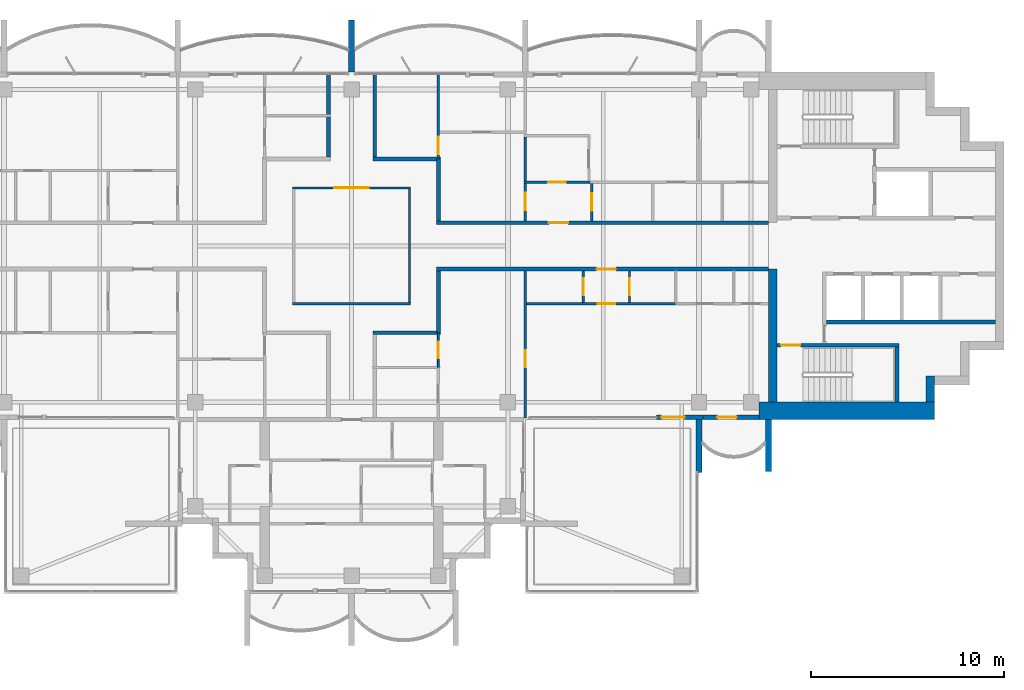
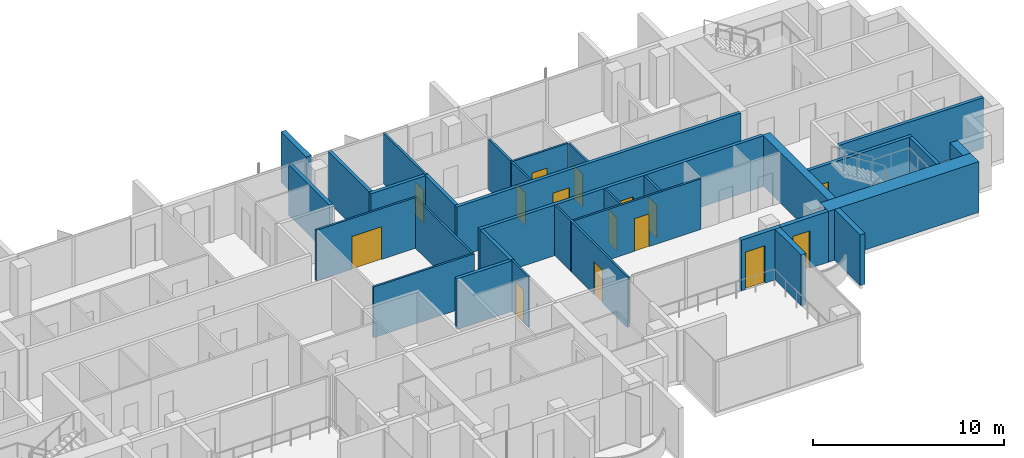
# One storey, part 10 of 16: 31 walls, 15 doors, 15 openings.
"""IFC4 building model written with IfcOpenShell, lengths in metres."""

from ifc_helpers import new_model, si_unit, direction, frame, frame_2d, origin, place, context, subcontext, project, spatial, rectangle, extrude, material, layer, layer_set, type_object, element, fill, save


model = new_model("IFC4")

# Units and contexts
model_context = context("Model", 3, precision=1e-05, world=origin(), true_north=direction((0.0, 1.0)))
body_context = subcontext(model_context, "Body", "Model", "MODEL_VIEW")
ifc_project = project(units=[si_unit("LENGTHUNIT", "METRE"), si_unit("AREAUNIT", "SQUARE_METRE"), si_unit("VOLUMEUNIT", "CUBIC_METRE"), si_unit("PLANEANGLEUNIT", "RADIAN"), si_unit("MASSUNIT", "GRAM", prefix="KILO")], contexts=[model_context])

# Site, building, storey
site_placement = place(None, origin())
site = spatial("IfcSite", under=ifc_project, at=site_placement, CompositionType="ELEMENT")
building_placement = place(site_placement, origin())
building = spatial("IfcBuilding", under=site, at=building_placement, Name="Perihelion Cross Residences", CompositionType="ELEMENT")
storey_placement = place(building_placement, frame((0.0, 0.0, 274.5)))
storey = spatial("IfcBuildingStorey", under=building, at=storey_placement, Name="L70", CompositionType="ELEMENT", Elevation=274.5)

# Wall, opening, door
ifc_material_1 = material(Name="Plasterboard partition")
ifc_layer_1 = layer(ifc_material_1, 0.199951171875)
ifc_layer_set_1 = layer_set([ifc_layer_1], Name="Apartment separation wall 200")
wall_type_1 = type_object("IfcWallType", Name="Apartment separation wall 200", PredefinedType="PARTITIONING", material=ifc_layer_set_1)
wall_1_placement = place(storey_placement, frame((4.39990234375, 1.199951171875, 0.0), z_axis=(0.0, 0.0, 1.0), x_axis=(1.0, 0.0, 0.0)))
wall_1 = element("IfcWall", 1, at=wall_1_placement, inside=storey, type_object=wall_type_1, Name="Partition L70 W005", PredefinedType="PARTITIONING", context=body_context, shape_type="SweptSolid", body=[
    extrude(rectangle(XDim=17.2001953125, YDim=0.199951171875, at=frame_2d((8.60009765625, 0.0))), origin(), (0.0, 0.0, 1.0), 3.25),
])
opening_1_placement = place(wall_1_placement, frame((5.824951171875, 0.0, 0.0)))
opening_1 = element("IfcOpeningElement", 2, at=opening_1_placement, cuts=wall_1, Name="Opening L70.A42", PredefinedType="OPENING", context=body_context, shape_type="SweptSolid", body=[
    extrude(rectangle(XDim=1.0, YDim=2.10009765625, at=frame_2d((0.5, 1.050048828125))), frame((0.0, 0.10986328125, 0.0), z_axis=(0.0, -1.0, 0.0), x_axis=(1.0, 0.0, 0.0)), (0.0, 0.0, 1.0), 0.219970703125),
])
ifc_material_2 = material(Name="Timber door leaf", Category="wood")
door_type_1 = type_object("IfcDoorType", Name="Flat entrance door 1000 x 2100", OperationType="SINGLE_SWING_LEFT", PredefinedType="DOOR", material=ifc_material_2)
door_1_placement = place(opening_1_placement, origin())
door_1 = element("IfcDoor", 3, at=door_1_placement, inside=storey, type_object=door_type_1, Name="Door L70.A42", OperationType="SINGLE_SWING_LEFT", OverallHeight=2.10009765625, OverallWidth=1.0, PredefinedType="DOOR", context=body_context, shape_type="SweptSolid", body=[
    extrude(rectangle(XDim=1.0, YDim=2.10009765625, at=frame_2d((0.5, 1.050048828125))), frame((0.0, 0.02490234375, 0.0), z_axis=(0.0, -1.0, 0.0), x_axis=(1.0, 0.0, 0.0)), (0.0, 0.0, 1.0), 0.050048828125),
])
fill(opening_1, door_1)

# Walls
wall_2_placement = place(storey_placement, frame((4.5, 4.5, 0.0), z_axis=(0.0, 0.0, 1.0), x_axis=(0.0, -1.0, 0.0)))
element("IfcWall", 4, at=wall_2_placement, inside=storey, type_object=wall_type_1, Name="Partition L70 W006", PredefinedType="PARTITIONING", context=body_context, shape_type="SweptSolid", body=[
    extrude(rectangle(XDim=3.199951171875, YDim=0.199951171875, at=frame_2d((1.60009765625, 0.0))), origin(), (0.0, 0.0, 1.0), 3.25),
])
wall_3_placement = place(storey_placement, frame((1.199951171875, 8.919921875, 0.0), z_axis=(0.0, 0.0, 1.0), x_axis=(0.0, -1.0, 0.0)))
element("IfcWall", 5, at=wall_3_placement, inside=storey, type_object=wall_type_1, Name="Partition L70 W007", PredefinedType="PARTITIONING", context=body_context, shape_type="SweptSolid", body=[
    extrude(rectangle(XDim=4.31982421875, YDim=0.199951171875, at=frame_2d((2.159912109375, 0.0))), origin(), (0.0, 0.0, 1.0), 3.25),
])
wall_4_placement = place(storey_placement, frame((1.10009765625, 4.5, 0.0), z_axis=(0.0, 0.0, 1.0), x_axis=(1.0, 0.0, 0.0)))
element("IfcWall", 6, at=wall_4_placement, inside=storey, type_object=wall_type_1, Name="Partition L70 W008", PredefinedType="PARTITIONING", context=body_context, shape_type="SweptSolid", body=[
    extrude(rectangle(XDim=3.5, YDim=0.199951171875, at=frame_2d((1.75, 0.0))), origin(), (0.0, 0.0, 1.0), 3.25),
])

# Wall, opening, door
wall_5_placement = place(storey_placement, frame((21.60009765625, -1.199951171875, 0.0), z_axis=(0.0, 0.0, 1.0), x_axis=(-1.0, 0.0, 0.0)))
wall_5 = element("IfcWall", 7, at=wall_5_placement, inside=storey, type_object=wall_type_1, Name="Partition L70 W009", PredefinedType="PARTITIONING", context=body_context, shape_type="SweptSolid", body=[
    extrude(rectangle(XDim=17.2001953125, YDim=0.199951171875, at=frame_2d((8.60009765625, 0.0))), origin(), (0.0, 0.0, 1.0), 3.25),
])
opening_2_placement = place(wall_5_placement, frame((7.89990234375, 0.0, 0.0)))
opening_2 = element("IfcOpeningElement", 8, at=opening_2_placement, cuts=wall_5, Name="Opening L70.A43", PredefinedType="OPENING", context=body_context, shape_type="SweptSolid", body=[
    extrude(rectangle(XDim=1.0, YDim=2.10009765625, at=frame_2d((0.5, 1.050048828125))), frame((0.0, 0.10986328125, 0.0), z_axis=(0.0, -1.0, 0.0), x_axis=(1.0, 0.0, 0.0)), (0.0, 0.0, 1.0), 0.219970703125),
])
door_2_placement = place(opening_2_placement, origin())
door_2 = element("IfcDoor", 9, at=door_2_placement, inside=storey, type_object=door_type_1, Name="Door L70.A43", OperationType="SINGLE_SWING_LEFT", OverallHeight=2.10009765625, OverallWidth=1.0, PredefinedType="DOOR", context=body_context, shape_type="SweptSolid", body=[
    extrude(rectangle(XDim=1.0, YDim=2.10009765625, at=frame_2d((0.5, 1.050048828125))), frame((0.0, 0.02490234375, 0.0), z_axis=(0.0, -1.0, 0.0), x_axis=(1.0, 0.0, 0.0)), (0.0, 0.0, 1.0), 0.050048828125),
])
fill(opening_2, door_2)

# Walls
wall_6_placement = place(storey_placement, frame((4.5, -1.300048828125, 0.0), z_axis=(0.0, 0.0, 1.0), x_axis=(0.0, -1.0, 0.0)))
element("IfcWall", 10, at=wall_6_placement, inside=storey, type_object=wall_type_1, Name="Partition L70 W010", PredefinedType="PARTITIONING", context=body_context, shape_type="SweptSolid", body=[
    extrude(rectangle(XDim=3.199951171875, YDim=0.199951171875, at=frame_2d((1.60009765625, 0.0))), origin(), (0.0, 0.0, 1.0), 3.25),
])
wall_7_placement = place(storey_placement, frame((4.60009765625, -4.5, 0.0), z_axis=(0.0, 0.0, 1.0), x_axis=(-1.0, 0.0, 0.0)))
element("IfcWall", 11, at=wall_7_placement, inside=storey, type_object=wall_type_1, Name="Partition L70 W011", PredefinedType="PARTITIONING", context=body_context, shape_type="SweptSolid", body=[
    extrude(rectangle(XDim=3.5, YDim=0.199951171875, at=frame_2d((1.75, 0.0))), origin(), (0.0, 0.0, 1.0), 3.25),
])
wall_8_placement = place(storey_placement, frame((-1.199951171875, 4.60009765625, 0.0), z_axis=(0.0, 0.0, 1.0), x_axis=(0.0, 1.0, 0.0)))
element("IfcWall", 12, at=wall_8_placement, inside=storey, type_object=wall_type_1, Name="Partition L70 W016", PredefinedType="PARTITIONING", context=body_context, shape_type="SweptSolid", body=[
    extrude(rectangle(XDim=4.31982421875, YDim=0.199951171875, at=frame_2d((2.159912109375, 0.0))), origin(), (0.0, 0.0, 1.0), 3.25),
])

# Wall, opening, door
ifc_material_3 = material(Name="Concrete C30/37, bronze-clad", Category="concrete")
ifc_layer_2 = layer(ifc_material_3, 0.25)
ifc_layer_set_2 = layer_set([ifc_layer_2], Name="Bronze-clad pier wall 250")
wall_type_2 = type_object("IfcWallType", Name="Bronze-clad pier wall 250", PredefinedType="SOLIDWALL", material=ifc_layer_set_2)
wall_9_placement = place(storey_placement, frame((15.800048828125, -8.875, 0.0), z_axis=(0.0, 0.0, 1.0), x_axis=(1.0, 0.0, 0.0)))
wall_9 = element("IfcWall", 13, at=wall_9_placement, inside=storey, type_object=wall_type_2, Name="Wall FW1 L70 east side south bay 1 pier", PredefinedType="SOLIDWALL", context=body_context, shape_type="SweptSolid", body=[
    extrude(rectangle(XDim=2.39990234375, YDim=0.25, at=frame_2d((1.199951171875, 0.0))), origin(), (0.0, 0.0, 1.0), 3.25),
])
opening_3_placement = place(wall_9_placement, frame((0.25, 0.0, 0.0)))
opening_3 = element("IfcOpeningElement", 14, at=opening_3_placement, cuts=wall_9, Name="Opening L70.E13", PredefinedType="OPENING", context=body_context, shape_type="SweptSolid", body=[
    extrude(rectangle(XDim=1.199951171875, YDim=2.39990234375, at=frame_2d((0.60009765625, 1.199951171875))), frame((0.0, 0.135009765625, 0.0), z_axis=(0.0, -1.0, 0.0), x_axis=(1.0, 0.0, 0.0)), (0.0, 0.0, 1.0), 0.27001953125),
])
ifc_material_4 = material(Name="Bronze anodised aluminium, glazed", Category="aluminium")
door_type_2 = type_object("IfcDoorType", Name="Balcony door 1200 x 2400", OperationType="NOTDEFINED", PredefinedType="DOOR", material=ifc_material_4)
door_3_placement = place(opening_3_placement, origin())
door_3 = element("IfcDoor", 15, at=door_3_placement, inside=storey, type_object=door_type_2, Name="Door L70.E13 east side south bay 1", OperationType="SINGLE_SWING_LEFT", OverallHeight=2.39990234375, OverallWidth=1.199951171875, PredefinedType="DOOR", context=body_context, shape_type="SweptSolid", body=[
    extrude(rectangle(XDim=1.199951171875, YDim=2.39990234375, at=frame_2d((0.60009765625, 1.199951171875))), frame((0.0, 0.02490234375, 0.0), z_axis=(0.0, -1.0, 0.0), x_axis=(1.0, 0.0, 0.0)), (0.0, 0.0, 1.0), 0.050048828125),
])
fill(opening_3, door_3)

wall_10_placement = place(storey_placement, frame((18.199951171875, -8.875, 0.0), z_axis=(0.0, 0.0, 1.0), x_axis=(1.0, 0.0, 0.0)))
wall_10 = element("IfcWall", 16, at=wall_10_placement, inside=storey, type_object=wall_type_2, Name="Wall FW1 L70 east side south bay 2 pier", PredefinedType="SOLIDWALL", context=body_context, shape_type="SweptSolid", body=[
    extrude(rectangle(XDim=2.900146484375, YDim=0.25, at=frame_2d((1.4501953125, 0.0))), origin(), (0.0, 0.0, 1.0), 3.25),
])
opening_4_placement = place(wall_10_placement, frame((0.75, 0.0, 0.0)))
opening_4 = element("IfcOpeningElement", 17, at=opening_4_placement, cuts=wall_10, Name="Opening L70.E14", PredefinedType="OPENING", context=body_context, shape_type="SweptSolid", body=[
    extrude(rectangle(XDim=1.0, YDim=2.39990234375, at=frame_2d((0.5, 1.199951171875))), frame((0.0, 0.135009765625, 0.0), z_axis=(0.0, -1.0, 0.0), x_axis=(1.0, 0.0, 0.0)), (0.0, 0.0, 1.0), 0.27001953125),
])
ifc_material_5 = material(Name="Bronze anodised aluminium, glazed", Category="aluminium")
door_type_3 = type_object("IfcDoorType", Name="Balcony door 1000 x 2400", OperationType="NOTDEFINED", PredefinedType="DOOR", material=ifc_material_5)
door_4_placement = place(opening_4_placement, origin())
door_4 = element("IfcDoor", 18, at=door_4_placement, inside=storey, type_object=door_type_3, Name="Door L70.E14 east side south bay 2", OperationType="SINGLE_SWING_RIGHT", OverallHeight=2.39990234375, OverallWidth=1.0, PredefinedType="DOOR", context=body_context, shape_type="SweptSolid", body=[
    extrude(rectangle(XDim=1.0, YDim=2.39990234375, at=frame_2d((0.5, 1.199951171875))), frame((0.0, 0.02490234375, 0.0), z_axis=(0.0, -1.0, 0.0), x_axis=(1.0, 0.0, 0.0)), (0.0, 0.0, 1.0), 0.050048828125),
])
fill(opening_4, door_4)

# Walls
ifc_material_6 = material(Name="Concrete C60/75", Category="concrete")
ifc_layer_3 = layer(ifc_material_6, 0.449951171875)
ifc_layer_set_3 = layer_set([ifc_layer_3], Name="Core wall, inner 450")
wall_type_3 = type_object("IfcWallType", Name="Core wall, inner 450", PredefinedType="SHEAR", material=ifc_layer_set_3)
wall_11_placement = place(storey_placement, frame((21.824951171875, -8.10009765625, 0.0), z_axis=(0.0, 0.0, 1.0), x_axis=(0.0, 1.0, 0.0)))
element("IfcWall", 19, at=wall_11_placement, inside=storey, type_object=wall_type_3, Name="East core core wall, inner", PredefinedType="SHEAR", context=body_context, shape_type="SweptSolid", body=[
    extrude(rectangle(XDim=6.900146484375, YDim=0.449951171875, at=frame_2d((3.4501953125, 0.0))), origin(), (0.0, 0.0, 1.0), 3.25),
])
ifc_material_7 = material(Name="Concrete C60/75", Category="concrete")
ifc_layer_4 = layer(ifc_material_7, 0.449951171875)
ifc_layer_set_4 = layer_set([ifc_layer_4], Name="Core wall, outer 450")
wall_type_4 = type_object("IfcWallType", Name="Core wall, outer 450", PredefinedType="SHEAR", material=ifc_layer_set_4)
wall_12_placement = place(storey_placement, frame((29.97509765625, -8.10009765625, 0.0), z_axis=(0.0, 0.0, 1.0), x_axis=(0.0, 1.0, 0.0)))
element("IfcWall", 20, at=wall_12_placement, inside=storey, type_object=wall_type_4, Name="East core core wall, outer", PredefinedType="SHEAR", context=body_context, shape_type="SweptSolid", body=[
    extrude(rectangle(XDim=1.35009765625, YDim=0.449951171875, at=frame_2d((0.675048828125, 0.0))), origin(), (0.0, 0.0, 1.0), 3.25),
])
ifc_material_8 = material(Name="Concrete C60/75", Category="concrete")
ifc_layer_5 = layer(ifc_material_8, 0.89990234375)
ifc_layer_set_5 = layer_set([ifc_layer_5], Name="Core wall, outer 900")
wall_type_5 = type_object("IfcWallType", Name="Core wall, outer 900", PredefinedType="SHEAR", material=ifc_layer_set_5)
wall_13_placement = place(storey_placement, frame((21.10009765625, -8.550048828125, 0.0), z_axis=(0.0, 0.0, 1.0), x_axis=(1.0, 0.0, 0.0)))
element("IfcWall", 21, at=wall_13_placement, inside=storey, type_object=wall_type_5, Name="East core core wall, outer", PredefinedType="SHEAR", context=body_context, shape_type="SweptSolid", body=[
    extrude(rectangle(XDim=9.099853515625, YDim=0.89990234375, at=frame_2d((4.5498046875, 0.0))), origin(), (0.0, 0.0, 1.0), 3.25),
])
ifc_material_9 = material(Name="Plasterboard partition")
ifc_layer_6 = layer(ifc_material_9, 0.1201171875)
ifc_layer_set_6 = layer_set([ifc_layer_6], Name="Partition wall 120")
wall_type_6 = type_object("IfcWallType", Name="Partition wall 120", PredefinedType="PARTITIONING", material=ifc_layer_set_6)
wall_14_placement = place(storey_placement, frame((-3.06005859375, -3.0, 0.0), z_axis=(0.0, 0.0, 1.0), x_axis=(1.0, 0.0, 0.0)))
element("IfcWall", 22, at=wall_14_placement, inside=storey, type_object=wall_type_6, Name="Partition L70 W001", PredefinedType="PARTITIONING", context=body_context, shape_type="SweptSolid", body=[
    extrude(rectangle(XDim=6.1201171875, YDim=0.1201171875, at=frame_2d((3.06005859375, 0.0))), origin(), (0.0, 0.0, 1.0), 3.25),
])
wall_15_placement = place(storey_placement, frame((3.0, -2.93994140625, 0.0), z_axis=(0.0, 0.0, 1.0), x_axis=(0.0, 1.0, 0.0)))
element("IfcWall", 23, at=wall_15_placement, inside=storey, type_object=wall_type_6, Name="Partition L70 W002", PredefinedType="PARTITIONING", context=body_context, shape_type="SweptSolid", body=[
    extrude(rectangle(XDim=5.8798828125, YDim=0.1201171875, at=frame_2d((2.93994140625, 0.0))), origin(), (0.0, 0.0, 1.0), 3.25),
])

# Wall, opening, door
wall_16_placement = place(storey_placement, frame((3.06005859375, 3.0, 0.0), z_axis=(0.0, 0.0, 1.0), x_axis=(-1.0, 0.0, 0.0)))
wall_16 = element("IfcWall", 24, at=wall_16_placement, inside=storey, type_object=wall_type_6, Name="Partition L70 W003", PredefinedType="PARTITIONING", context=body_context, shape_type="SweptSolid", body=[
    extrude(rectangle(XDim=6.1201171875, YDim=0.1201171875, at=frame_2d((3.06005859375, 0.0))), origin(), (0.0, 0.0, 1.0), 3.25),
])
opening_5_placement = place(wall_16_placement, frame((2.159912109375, 0.0, 0.0)))
opening_5 = element("IfcOpeningElement", 25, at=opening_5_placement, cuts=wall_16, Name="Opening L70.A01", PredefinedType="OPENING", context=body_context, shape_type="SweptSolid", body=[
    extrude(rectangle(XDim=1.800048828125, YDim=2.10009765625, at=frame_2d((0.89990234375, 1.050048828125))), frame((0.0, 0.070068359375, 0.0), z_axis=(0.0, -1.0, 0.0), x_axis=(1.0, 0.0, 0.0)), (0.0, 0.0, 1.0), 0.14013671875),
])
ifc_material_10 = material(Name="Glazed timber door leaf", Category="wood")
door_type_4 = type_object("IfcDoorType", Name="Interior double leaf door 1800 x 2100", OperationType="DOUBLE_DOOR_SINGLE_SWING", PredefinedType="DOOR", material=ifc_material_10)
door_5_placement = place(opening_5_placement, origin())
door_5 = element("IfcDoor", 26, at=door_5_placement, inside=storey, type_object=door_type_4, Name="Door L70.A01", OperationType="SINGLE_SWING_LEFT", OverallHeight=2.10009765625, OverallWidth=1.800048828125, PredefinedType="DOOR", context=body_context, shape_type="SweptSolid", body=[
    extrude(rectangle(XDim=1.800048828125, YDim=2.10009765625, at=frame_2d((0.89990234375, 1.050048828125))), frame((0.0, 0.02490234375, 0.0), z_axis=(0.0, -1.0, 0.0), x_axis=(1.0, 0.0, 0.0)), (0.0, 0.0, 1.0), 0.050048828125),
])
fill(opening_5, door_5)

wall_17_placement = place(storey_placement, frame((12.449951171875, 3.239990234375, 0.0), z_axis=(0.0, 0.0, 1.0), x_axis=(0.0, -1.0, 0.0)))
wall_17 = element("IfcWall", 27, at=wall_17_placement, inside=storey, type_object=wall_type_6, Name="Partition L70 W022", PredefinedType="PARTITIONING", context=body_context, shape_type="SweptSolid", body=[
    extrude(rectangle(XDim=1.93994140625, YDim=0.1201171875, at=frame_2d((0.969970703125, 0.0))), origin(), (0.0, 0.0, 1.0), 3.25),
])
opening_6_placement = place(wall_17_placement, frame((0.52001953125, 0.0, 0.0)))
opening_6 = element("IfcOpeningElement", 28, at=opening_6_placement, cuts=wall_17, Name="Opening L70.A09", PredefinedType="OPENING", context=body_context, shape_type="SweptSolid", body=[
    extrude(rectangle(XDim=0.89990234375, YDim=2.10009765625, at=frame_2d((0.449951171875, 1.050048828125))), frame((0.0, 0.070068359375, 0.0), z_axis=(0.0, -1.0, 0.0), x_axis=(1.0, 0.0, 0.0)), (0.0, 0.0, 1.0), 0.14013671875),
])
ifc_material_11 = material(Name="Timber door leaf", Category="wood")
door_type_5 = type_object("IfcDoorType", Name="Interior room door 900 x 2100", OperationType="SINGLE_SWING_LEFT", PredefinedType="DOOR", material=ifc_material_11)
door_6_placement = place(opening_6_placement, origin())
door_6 = element("IfcDoor", 29, at=door_6_placement, inside=storey, type_object=door_type_5, Name="Door L70.A09", OperationType="SINGLE_SWING_RIGHT", OverallHeight=2.10009765625, OverallWidth=0.89990234375, PredefinedType="DOOR", context=body_context, shape_type="SweptSolid", body=[
    extrude(rectangle(XDim=0.89990234375, YDim=2.10009765625, at=frame_2d((0.449951171875, 1.050048828125))), frame((0.0, 0.02490234375, 0.0), z_axis=(0.0, -1.0, 0.0), x_axis=(1.0, 0.0, 0.0)), (0.0, 0.0, 1.0), 0.050048828125),
])
fill(opening_6, door_6)

wall_18_placement = place(storey_placement, frame((8.93994140625, 3.300048828125, 0.0), z_axis=(0.0, 0.0, 1.0), x_axis=(1.0, 0.0, 0.0)))
wall_18 = element("IfcWall", 30, at=wall_18_placement, inside=storey, type_object=wall_type_6, Name="Partition L70 W023", PredefinedType="PARTITIONING", context=body_context, shape_type="SweptSolid", body=[
    extrude(rectangle(XDim=3.420166015625, YDim=0.1201171875, at=frame_2d((1.7099609375, 0.0))), origin(), (0.0, 0.0, 1.0), 3.25),
])
opening_7_placement = place(wall_18_placement, frame((1.260009765625, 0.0, 0.0)))
opening_7 = element("IfcOpeningElement", 31, at=opening_7_placement, cuts=wall_18, Name="Opening L70.A10", PredefinedType="OPENING", context=body_context, shape_type="SweptSolid", body=[
    extrude(rectangle(XDim=0.89990234375, YDim=2.10009765625, at=frame_2d((0.449951171875, 1.050048828125))), frame((0.0, 0.070068359375, 0.0), z_axis=(0.0, -1.0, 0.0), x_axis=(1.0, 0.0, 0.0)), (0.0, 0.0, 1.0), 0.14013671875),
])
door_7_placement = place(opening_7_placement, origin())
door_7 = element("IfcDoor", 32, at=door_7_placement, inside=storey, type_object=door_type_5, Name="Door L70.A10", OperationType="SINGLE_SWING_RIGHT", OverallHeight=2.10009765625, OverallWidth=0.89990234375, PredefinedType="DOOR", context=body_context, shape_type="SweptSolid", body=[
    extrude(rectangle(XDim=0.89990234375, YDim=2.10009765625, at=frame_2d((0.449951171875, 1.050048828125))), frame((0.0, 0.02490234375, 0.0), z_axis=(0.0, -1.0, 0.0), x_axis=(1.0, 0.0, 0.0)), (0.0, 0.0, 1.0), 0.050048828125),
])
fill(opening_7, door_7)

wall_19_placement = place(storey_placement, frame((9.0, 1.300048828125, 0.0), z_axis=(0.0, 0.0, 1.0), x_axis=(0.0, 1.0, 0.0)))
wall_19 = element("IfcWall", 33, at=wall_19_placement, inside=storey, type_object=wall_type_6, Name="Partition L70 W024", PredefinedType="PARTITIONING", context=body_context, shape_type="SweptSolid", body=[
    extrude(rectangle(XDim=4.33984375, YDim=0.1201171875, at=frame_2d((2.169921875, 0.0))), origin(), (0.0, 0.0, 1.0), 3.25),
])
opening_8_placement = place(wall_19_placement, frame((0.550048828125, 0.0, 0.0)))
opening_8 = element("IfcOpeningElement", 34, at=opening_8_placement, cuts=wall_19, Name="Opening L70.A04", PredefinedType="OPENING", context=body_context, shape_type="SweptSolid", body=[
    extrude(rectangle(XDim=0.89990234375, YDim=2.10009765625, at=frame_2d((0.449951171875, 1.050048828125))), frame((0.0, 0.070068359375, 0.0), z_axis=(0.0, -1.0, 0.0), x_axis=(1.0, 0.0, 0.0)), (0.0, 0.0, 1.0), 0.14013671875),
])
door_8_placement = place(opening_8_placement, origin())
door_8 = element("IfcDoor", 35, at=door_8_placement, inside=storey, type_object=door_type_5, Name="Door L70.A04", OperationType="SINGLE_SWING_RIGHT", OverallHeight=2.10009765625, OverallWidth=0.89990234375, PredefinedType="DOOR", context=body_context, shape_type="SweptSolid", body=[
    extrude(rectangle(XDim=0.89990234375, YDim=2.10009765625, at=frame_2d((0.449951171875, 1.050048828125))), frame((0.0, 0.02490234375, 0.0), z_axis=(0.0, -1.0, 0.0), x_axis=(1.0, 0.0, 0.0)), (0.0, 0.0, 1.0), 0.050048828125),
])
fill(opening_8, door_8)

wall_20_placement = place(storey_placement, frame((4.5, 4.5, 0.0), z_axis=(0.0, 0.0, 1.0), x_axis=(0.0, 1.0, 0.0)))
wall_20 = element("IfcWall", 36, at=wall_20_placement, inside=storey, type_object=wall_type_6, Name="Partition L70 W034", PredefinedType="PARTITIONING", context=body_context, shape_type="SweptSolid", body=[
    extrude(rectangle(XDim=4.419921875, YDim=0.1201171875, at=frame_2d((2.2099609375, 0.0))), origin(), (0.0, 0.0, 1.0), 3.25),
])
opening_9_placement = place(wall_20_placement, frame((0.239990234375, 0.0, 0.0)))
opening_9 = element("IfcOpeningElement", 37, at=opening_9_placement, cuts=wall_20, Name="Opening L70.A02", PredefinedType="OPENING", context=body_context, shape_type="SweptSolid", body=[
    extrude(rectangle(XDim=0.89990234375, YDim=2.10009765625, at=frame_2d((0.449951171875, 1.050048828125))), frame((0.0, 0.070068359375, 0.0), z_axis=(0.0, -1.0, 0.0), x_axis=(1.0, 0.0, 0.0)), (0.0, 0.0, 1.0), 0.14013671875),
])
door_9_placement = place(opening_9_placement, origin())
door_9 = element("IfcDoor", 38, at=door_9_placement, inside=storey, type_object=door_type_5, Name="Door L70.A02", OperationType="SINGLE_SWING_RIGHT", OverallHeight=2.10009765625, OverallWidth=0.89990234375, PredefinedType="DOOR", context=body_context, shape_type="SweptSolid", body=[
    extrude(rectangle(XDim=0.89990234375, YDim=2.10009765625, at=frame_2d((0.449951171875, 1.050048828125))), frame((0.0, 0.02490234375, 0.0), z_axis=(0.0, -1.0, 0.0), x_axis=(1.0, 0.0, 0.0)), (0.0, 0.0, 1.0), 0.050048828125),
])
fill(opening_9, door_9)

wall_21_placement = place(storey_placement, frame((12.0, -1.300048828125, 0.0), z_axis=(0.0, 0.0, 1.0), x_axis=(0.0, -1.0, 0.0)))
wall_21 = element("IfcWall", 39, at=wall_21_placement, inside=storey, type_object=wall_type_6, Name="Partition L70 W035", PredefinedType="PARTITIONING", context=body_context, shape_type="SweptSolid", body=[
    extrude(rectangle(XDim=1.639892578125, YDim=0.1201171875, at=frame_2d((0.81982421875, 0.0))), origin(), (0.0, 0.0, 1.0), 3.25),
])
opening_10_placement = place(wall_21_placement, frame((0.3701171875, 0.0, 0.0)))
opening_10 = element("IfcOpeningElement", 40, at=opening_10_placement, cuts=wall_21, Name="Opening L70.A12", PredefinedType="OPENING", context=body_context, shape_type="SweptSolid", body=[
    extrude(rectangle(XDim=0.89990234375, YDim=2.10009765625, at=frame_2d((0.449951171875, 1.050048828125))), frame((0.0, 0.070068359375, 0.0), z_axis=(0.0, -1.0, 0.0), x_axis=(1.0, 0.0, 0.0)), (0.0, 0.0, 1.0), 0.14013671875),
])
door_10_placement = place(opening_10_placement, origin())
door_10 = element("IfcDoor", 41, at=door_10_placement, inside=storey, type_object=door_type_5, Name="Door L70.A12", OperationType="SINGLE_SWING_LEFT", OverallHeight=2.10009765625, OverallWidth=0.89990234375, PredefinedType="DOOR", context=body_context, shape_type="SweptSolid", body=[
    extrude(rectangle(XDim=0.89990234375, YDim=2.10009765625, at=frame_2d((0.449951171875, 1.050048828125))), frame((0.0, 0.02490234375, 0.0), z_axis=(0.0, -1.0, 0.0), x_axis=(1.0, 0.0, 0.0)), (0.0, 0.0, 1.0), 0.050048828125),
])
fill(opening_10, door_10)

wall_22_placement = place(storey_placement, frame((16.800048828125, -3.0, 0.0), z_axis=(0.0, 0.0, 1.0), x_axis=(-1.0, 0.0, 0.0)))
wall_22 = element("IfcWall", 42, at=wall_22_placement, inside=storey, type_object=wall_type_6, Name="Partition L70 W036", PredefinedType="PARTITIONING", context=body_context, shape_type="SweptSolid", body=[
    extrude(rectangle(XDim=7.860107421875, YDim=0.1201171875, at=frame_2d((3.93017578125, 0.0))), origin(), (0.0, 0.0, 1.0), 3.25),
])
opening_11_placement = place(wall_22_placement, frame((3.14990234375, 0.0, 0.0)))
opening_11 = element("IfcOpeningElement", 43, at=opening_11_placement, cuts=wall_22, Name="Opening L70.A17", PredefinedType="OPENING", context=body_context, shape_type="SweptSolid", body=[
    extrude(rectangle(XDim=0.89990234375, YDim=2.10009765625, at=frame_2d((0.449951171875, 1.050048828125))), frame((0.0, 0.070068359375, 0.0), z_axis=(0.0, -1.0, 0.0), x_axis=(1.0, 0.0, 0.0)), (0.0, 0.0, 1.0), 0.14013671875),
])
door_11_placement = place(opening_11_placement, origin())
door_11 = element("IfcDoor", 44, at=door_11_placement, inside=storey, type_object=door_type_5, Name="Door L70.A17", OperationType="SINGLE_SWING_RIGHT", OverallHeight=2.10009765625, OverallWidth=0.89990234375, PredefinedType="DOOR", context=body_context, shape_type="SweptSolid", body=[
    extrude(rectangle(XDim=0.89990234375, YDim=2.10009765625, at=frame_2d((0.449951171875, 1.050048828125))), frame((0.0, 0.02490234375, 0.0), z_axis=(0.0, -1.0, 0.0), x_axis=(1.0, 0.0, 0.0)), (0.0, 0.0, 1.0), 0.050048828125),
])
fill(opening_11, door_11)

wall_23_placement = place(storey_placement, frame((9.0, -8.919921875, 0.0), z_axis=(0.0, 0.0, 1.0), x_axis=(0.0, 1.0, 0.0)))
wall_23 = element("IfcWall", 45, at=wall_23_placement, inside=storey, type_object=wall_type_6, Name="Partition L70 W037", PredefinedType="PARTITIONING", context=body_context, shape_type="SweptSolid", body=[
    extrude(rectangle(XDim=7.619873046875, YDim=0.1201171875, at=frame_2d((3.81005859375, 0.0))), origin(), (0.0, 0.0, 1.0), 3.25),
])
opening_12_placement = place(wall_23_placement, frame((2.6201171875, 0.0, 0.0)))
opening_12 = element("IfcOpeningElement", 46, at=opening_12_placement, cuts=wall_23, Name="Opening L70.A14", PredefinedType="OPENING", context=body_context, shape_type="SweptSolid", body=[
    extrude(rectangle(XDim=0.89990234375, YDim=2.10009765625, at=frame_2d((0.449951171875, 1.050048828125))), frame((0.0, 0.070068359375, 0.0), z_axis=(0.0, -1.0, 0.0), x_axis=(1.0, 0.0, 0.0)), (0.0, 0.0, 1.0), 0.14013671875),
])
door_12_placement = place(opening_12_placement, origin())
door_12 = element("IfcDoor", 47, at=door_12_placement, inside=storey, type_object=door_type_5, Name="Door L70.A14", OperationType="SINGLE_SWING_RIGHT", OverallHeight=2.10009765625, OverallWidth=0.89990234375, PredefinedType="DOOR", context=body_context, shape_type="SweptSolid", body=[
    extrude(rectangle(XDim=0.89990234375, YDim=2.10009765625, at=frame_2d((0.449951171875, 1.050048828125))), frame((0.0, 0.02490234375, 0.0), z_axis=(0.0, -1.0, 0.0), x_axis=(1.0, 0.0, 0.0)), (0.0, 0.0, 1.0), 0.050048828125),
])
fill(opening_12, door_12)

wall_24_placement = place(storey_placement, frame((14.39990234375, -1.300048828125, 0.0), z_axis=(0.0, 0.0, 1.0), x_axis=(0.0, -1.0, 0.0)))
wall_24 = element("IfcWall", 48, at=wall_24_placement, inside=storey, type_object=wall_type_6, Name="Partition L70 W038", PredefinedType="PARTITIONING", context=body_context, shape_type="SweptSolid", body=[
    extrude(rectangle(XDim=1.639892578125, YDim=0.1201171875, at=frame_2d((0.81982421875, 0.0))), origin(), (0.0, 0.0, 1.0), 3.25),
])
opening_13_placement = place(wall_24_placement, frame((0.3701171875, 0.0, 0.0)))
opening_13 = element("IfcOpeningElement", 49, at=opening_13_placement, cuts=wall_24, Name="Opening L70.A18", PredefinedType="OPENING", context=body_context, shape_type="SweptSolid", body=[
    extrude(rectangle(XDim=0.89990234375, YDim=2.10009765625, at=frame_2d((0.449951171875, 1.050048828125))), frame((0.0, 0.070068359375, 0.0), z_axis=(0.0, -1.0, 0.0), x_axis=(1.0, 0.0, 0.0)), (0.0, 0.0, 1.0), 0.14013671875),
])
door_13_placement = place(opening_13_placement, origin())
door_13 = element("IfcDoor", 50, at=door_13_placement, inside=storey, type_object=door_type_5, Name="Door L70.A18", OperationType="SINGLE_SWING_RIGHT", OverallHeight=2.10009765625, OverallWidth=0.89990234375, PredefinedType="DOOR", context=body_context, shape_type="SweptSolid", body=[
    extrude(rectangle(XDim=0.89990234375, YDim=2.10009765625, at=frame_2d((0.449951171875, 1.050048828125))), frame((0.0, 0.02490234375, 0.0), z_axis=(0.0, -1.0, 0.0), x_axis=(1.0, 0.0, 0.0)), (0.0, 0.0, 1.0), 0.050048828125),
])
fill(opening_13, door_13)

# Walls
ifc_material_12 = material(Name="Precast concrete C50/60", Category="concrete")
ifc_layer_7 = layer(ifc_material_12, 0.300048828125)
ifc_layer_set_7 = layer_set([ifc_layer_7], Name="Precast concrete C50/60 blade wall 300")
wall_type_7 = type_object("IfcWallType", Name="Precast concrete C50/60 blade wall 300", PredefinedType="SOLIDWALL", material=ifc_layer_set_7)
wall_25_placement = place(storey_placement, frame((0.0, 9.0, 0.0), z_axis=(0.0, 0.0, 1.0), x_axis=(0.0, 1.0, 0.0)))
element("IfcWall", 51, at=wall_25_placement, inside=storey, type_object=wall_type_7, Name="Wall BL1 L70 no. 9", PredefinedType="SOLIDWALL", context=body_context, shape_type="SweptSolid", body=[
    extrude(rectangle(XDim=2.699951171875, YDim=0.300048828125, at=frame_2d((1.35009765625, 0.0))), origin(), (0.0, 0.0, 1.0), 3.25),
])
wall_26_placement = place(storey_placement, frame((18.0, -9.0, 0.0), z_axis=(0.0, 0.0, 1.0), x_axis=(0.0, -1.0, 0.0)))
element("IfcWall", 52, at=wall_26_placement, inside=storey, type_object=wall_type_7, Name="Wall BL1 L70 no. 10", PredefinedType="SOLIDWALL", context=body_context, shape_type="SweptSolid", body=[
    extrude(rectangle(XDim=2.739990234375, YDim=0.300048828125, at=frame_2d((1.3701171875, 0.0))), origin(), (0.0, 0.0, 1.0), 3.25),
])
wall_27_placement = place(storey_placement, frame((21.60009765625, -9.0, 0.0), z_axis=(0.0, 0.0, 1.0), x_axis=(0.0, -1.0, 0.0)))
element("IfcWall", 53, at=wall_27_placement, inside=storey, type_object=wall_type_7, Name="Wall BL1 L70 no. 12", PredefinedType="SOLIDWALL", context=body_context, shape_type="SweptSolid", body=[
    extrude(rectangle(XDim=2.699951171875, YDim=0.300048828125, at=frame_2d((1.35009765625, 0.0))), origin(), (0.0, 0.0, 1.0), 3.25),
])
ifc_material_13 = material(Name="Concrete C50/60", Category="concrete")
ifc_layer_8 = layer(ifc_material_13, 0.199951171875)
ifc_layer_set_8 = layer_set([ifc_layer_8], Name="Shaft wall 200")
wall_type_8 = type_object("IfcWallType", Name="Shaft wall 200", PredefinedType="SOLIDWALL", material=ifc_layer_set_8)
wall_28_placement = place(storey_placement, frame((24.60009765625, -3.949951171875, 0.0), z_axis=(0.0, 0.0, 1.0), x_axis=(1.0, 0.0, 0.0)))
element("IfcWall", 54, at=wall_28_placement, inside=storey, type_object=wall_type_8, Name="East core shaft wall", PredefinedType="SOLIDWALL", context=body_context, shape_type="SweptSolid", body=[
    extrude(rectangle(XDim=8.75, YDim=0.199951171875, at=frame_2d((4.375, 0.0))), origin(), (0.0, 0.0, 1.0), 3.25),
])

# Wall, opening, door
ifc_material_14 = material(Name="Concrete C50/60", Category="concrete")
ifc_layer_9 = layer(ifc_material_14, 0.199951171875)
ifc_layer_set_9 = layer_set([ifc_layer_9], Name="Stair wall 200")
wall_type_9 = type_object("IfcWallType", Name="Stair wall 200", PredefinedType="SOLIDWALL", material=ifc_layer_set_9)
wall_29_placement = place(storey_placement, frame((22.050048828125, -5.14990234375, 0.0), z_axis=(0.0, 0.0, 1.0), x_axis=(1.0, 0.0, 0.0)))
wall_29 = element("IfcWall", 55, at=wall_29_placement, inside=storey, type_object=wall_type_9, Name="East core stair wall", PredefinedType="SOLIDWALL", context=body_context, shape_type="SweptSolid", body=[
    extrude(rectangle(XDim=6.300048828125, YDim=0.199951171875, at=frame_2d((3.14990234375, 0.0))), origin(), (0.0, 0.0, 1.0), 3.25),
])
opening_14_placement = place(wall_29_placement, frame((0.199951171875, 0.0, 0.0)))
opening_14 = element("IfcOpeningElement", 56, at=opening_14_placement, cuts=wall_29, Name="Opening L70.C05", PredefinedType="OPENING", context=body_context, shape_type="SweptSolid", body=[
    extrude(rectangle(XDim=1.0, YDim=2.10009765625, at=frame_2d((0.5, 1.050048828125))), frame((0.0, 0.10986328125, 0.0), z_axis=(0.0, -1.0, 0.0), x_axis=(1.0, 0.0, 0.0)), (0.0, 0.0, 1.0), 0.219970703125),
])
ifc_material_15 = material(Name="Steel, powder coated", Category="steel")
door_type_6 = type_object("IfcDoorType", Name="Stair door 1000", OperationType="SINGLE_SWING_LEFT", PredefinedType="DOOR", material=ifc_material_15)
door_14_placement = place(opening_14_placement, origin())
door_14 = element("IfcDoor", 57, at=door_14_placement, inside=storey, type_object=door_type_6, Name="East core stair door", OperationType="SINGLE_SWING_LEFT", OverallHeight=2.10009765625, OverallWidth=1.0, PredefinedType="DOOR", context=body_context, shape_type="SweptSolid", body=[
    extrude(rectangle(XDim=1.0, YDim=2.10009765625, at=frame_2d((0.5, 1.050048828125))), frame((0.0, 0.02490234375, 0.0), z_axis=(0.0, -1.0, 0.0), x_axis=(1.0, 0.0, 0.0)), (0.0, 0.0, 1.0), 0.050048828125),
])
fill(opening_14, door_14)

# Wall
wall_30_placement = place(storey_placement, frame((28.25, -8.10009765625, 0.0), z_axis=(0.0, 0.0, 1.0), x_axis=(0.0, 1.0, 0.0)))
element("IfcWall", 58, at=wall_30_placement, inside=storey, type_object=wall_type_9, Name="East core stair wall", PredefinedType="SOLIDWALL", context=body_context, shape_type="SweptSolid", body=[
    extrude(rectangle(XDim=2.85009765625, YDim=0.199951171875, at=frame_2d((1.425048828125, 0.0))), origin(), (0.0, 0.0, 1.0), 3.25),
])

# Wall, opening, door
ifc_material_16 = material(Name="Plasterboard partition")
ifc_layer_10 = layer(ifc_material_16, 0.10009765625)
ifc_layer_set_10 = layer_set([ifc_layer_10], Name="Wet room wall 100")
wall_type_10 = type_object("IfcWallType", Name="Wet room wall 100", PredefinedType="PARTITIONING", material=ifc_layer_set_10)
wall_31_placement = place(storey_placement, frame((4.5, -6.300048828125, 0.0), z_axis=(0.0, 0.0, 1.0), x_axis=(0.0, 1.0, 0.0)))
wall_31 = element("IfcWall", 59, at=wall_31_placement, inside=storey, type_object=wall_type_10, Name="Partition L70 W043", PredefinedType="PARTITIONING", context=body_context, shape_type="SweptSolid", body=[
    extrude(rectangle(XDim=1.800048828125, YDim=0.10009765625, at=frame_2d((0.89990234375, 0.0))), origin(), (0.0, 0.0, 1.0), 3.25),
])
opening_15_placement = place(wall_31_placement, frame((0.47509765625, 0.0, 0.0)))
opening_15 = element("IfcOpeningElement", 60, at=opening_15_placement, cuts=wall_31, Name="Opening L70.A16", PredefinedType="OPENING", context=body_context, shape_type="SweptSolid", body=[
    extrude(rectangle(XDim=0.85009765625, YDim=2.10009765625, at=frame_2d((0.425048828125, 1.050048828125))), frame((0.0, 0.06005859375, 0.0), z_axis=(0.0, -1.0, 0.0), x_axis=(1.0, 0.0, 0.0)), (0.0, 0.0, 1.0), 0.1201171875),
])
ifc_material_17 = material(Name="Timber door leaf", Category="wood")
door_type_7 = type_object("IfcDoorType", Name="Interior bathroom door 850 x 2100", OperationType="SINGLE_SWING_LEFT", PredefinedType="DOOR", material=ifc_material_17)
door_15_placement = place(opening_15_placement, origin())
door_15 = element("IfcDoor", 61, at=door_15_placement, inside=storey, type_object=door_type_7, Name="Door L70.A16", OperationType="SINGLE_SWING_LEFT", OverallHeight=2.10009765625, OverallWidth=0.85009765625, PredefinedType="DOOR", context=body_context, shape_type="SweptSolid", body=[
    extrude(rectangle(XDim=0.85009765625, YDim=2.10009765625, at=frame_2d((0.425048828125, 1.050048828125))), frame((0.0, 0.02490234375, 0.0), z_axis=(0.0, -1.0, 0.0), x_axis=(1.0, 0.0, 0.0)), (0.0, 0.0, 1.0), 0.050048828125),
])
fill(opening_15, door_15)

save(model, "model.ifc")
